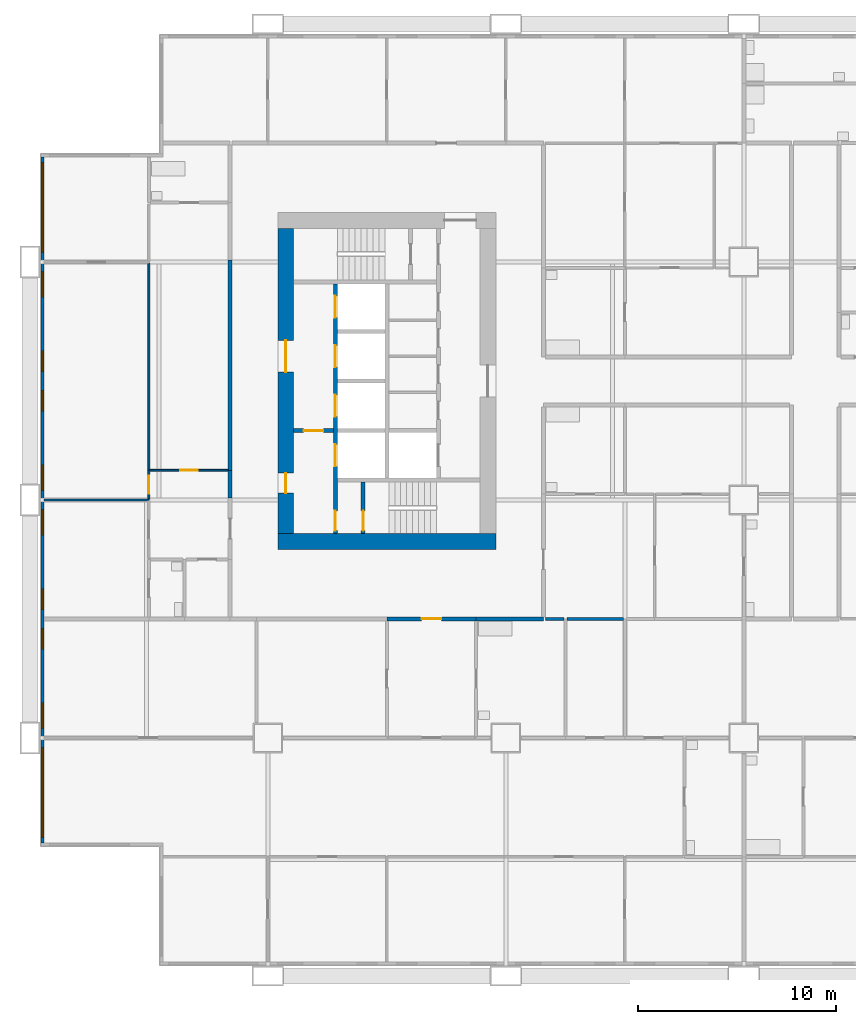
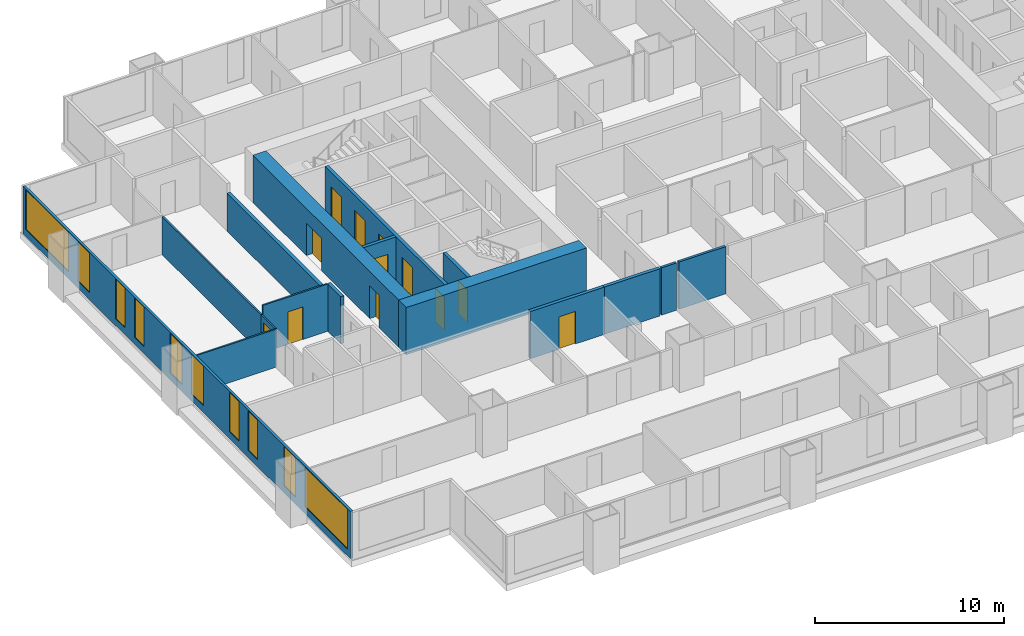
# One storey, part 3 of 14: 16 walls, 12 doors, 10 windows, 22 openings.
"""IFC4 building model written with IfcOpenShell, lengths in metres."""

import ifcopenshell
import ifcopenshell.guid

model = None  # the IFC model being written
_history = None  # IfcOwnerHistory: only IFC2X3 demands one
_inside = {}  # id of a spatial element -> (the spatial element, [elements in it])
_under = {}  # id of a project, library or spatial element -> (it, [spatial elements below it])
_declared = {}  # id of a project -> (the project, [libraries it declares])
_typed = {}  # id of a type object -> (the type object, [elements of that type])
_made_of = {}  # id of a material, layer set ... -> (it, [elements and type objects made of it])


def new_model(schema):
    """Start an empty IFC model of exactly this schema.

    Asked for "IFC4X3", IfcOpenShell would pick the latest addendum, in which some entities
    have other attributes; the version numbers below select the first issue.
    IFC2X3 requires an IfcOwnerHistory on every rooted entity: one is made here for all.
    """
    global model, _history
    if schema == "IFC4X3":
        model = ifcopenshell.file(schema_version=(4, 3, 0, 0))
    else:
        model = ifcopenshell.file(schema=schema)
    _inside.clear()
    _under.clear()
    _declared.clear()
    _typed.clear()
    _made_of.clear()
    _history = None
    if model.schema == "IFC2X3":
        org = make("IfcOrganization", Name="unknown")
        user = make(
            "IfcPersonAndOrganization",
            ThePerson=make("IfcPerson", FamilyName="unknown"),
            TheOrganization=org,
        )
        app = make(
            "IfcApplication",
            ApplicationDeveloper=org,
            Version="unknown",
            ApplicationFullName="unknown",
            ApplicationIdentifier="unknown",
        )
        _history = make(
            "IfcOwnerHistory",
            OwningUser=user,
            OwningApplication=app,
            ChangeAction="ADDED",
            CreationDate=0,
        )
    return model


def make(cls, **values):
    """One entity of the class cls with the attributes given. An attribute that is None is left unset."""
    return model.create_entity(
        cls, **{name: value for name, value in values.items() if value is not None}
    )


def rooted(cls, **values):
    """An entity with a GlobalId (a new one), such as an element, a storey or a relation."""
    return make(cls, GlobalId=ifcopenshell.guid.new(), OwnerHistory=_history, **values)


def si_unit(unit_type, name, prefix=None):
    """IfcSIUnit, for example si_unit("LENGTHUNIT", "METRE", prefix="MILLI")."""
    return make("IfcSIUnit", UnitType=unit_type, Prefix=prefix, Name=name)


def assignment(units):
    """IfcUnitAssignment: the units of a project."""
    return None if units is None else make("IfcUnitAssignment", Units=units)


def point(xyz):
    """IfcCartesianPoint."""
    return None if xyz is None else make("IfcCartesianPoint", Coordinates=xyz)


def direction(xyz):
    """IfcDirection."""
    return None if xyz is None else make("IfcDirection", DirectionRatios=xyz)


def frame(location, z_axis=None, x_axis=None):
    """IfcAxis2Placement3D, a coordinate frame: its origin and axes. An axis left out is left unset."""
    return make(
        "IfcAxis2Placement3D",
        Location=point(location),
        Axis=direction(z_axis),
        RefDirection=direction(x_axis),
    )


def frame_2d(location, x_axis=None):
    """IfcAxis2Placement2D, a coordinate frame in the plane: its origin and x axis."""
    return make(
        "IfcAxis2Placement2D", Location=point(location), RefDirection=direction(x_axis)
    )


def origin():
    """The frame at (0, 0, 0) with its axes left unset."""
    return frame((0.0, 0.0, 0.0))


def place(relative_to, where):
    """IfcLocalPlacement: puts the frame where relative to a parent placement (None: the world)."""
    return make(
        "IfcLocalPlacement", PlacementRelTo=relative_to, RelativePlacement=where
    )


def context(
    kind, dimensions, precision=None, world=None, true_north=None, identifier=None
):
    """IfcGeometricRepresentationContext, for example the 3D "Model" context."""
    return make(
        "IfcGeometricRepresentationContext",
        ContextIdentifier=identifier,
        ContextType=kind,
        CoordinateSpaceDimension=dimensions,
        Precision=precision,
        WorldCoordinateSystem=world,
        TrueNorth=true_north,
    )


def subcontext(parent, identifier, kind, view, scale=None):
    """IfcGeometricRepresentationSubContext, for example "Body" below "Model"."""
    return make(
        "IfcGeometricRepresentationSubContext",
        ContextIdentifier=identifier,
        ContextType=kind,
        ParentContext=parent,
        TargetScale=scale,
        TargetView=view,
    )


def project(units=None, contexts=None):
    """IfcProject with its units and contexts."""
    return rooted(
        "IfcProject",
        Name="project",
        RepresentationContexts=contexts,
        UnitsInContext=assignment(units),
    )


def spatial(cls, under=None, at=None, **own):
    """A site, building, storey or space (cls), placed at a placement, below another one or the project."""
    s = rooted(cls, ObjectPlacement=at, **own)
    if under is not None:
        _under.setdefault(under.id(), (under, []))[1].append(s)
    return s


def profile(cls, at=None, kind="AREA", **sizes):
    """A parametric profile (cls). Its sizes go by their IFC names, for example OverallWidth=200.0."""
    return make(cls, ProfileType=kind, Position=at, **sizes)


def rectangle(**sizes):
    """IfcRectangleProfileDef."""
    return profile("IfcRectangleProfileDef", **sizes)


def extrude(swept, where, along, depth):
    """IfcExtrudedAreaSolid: the profile swept, set in the frame where, extruded along a direction by depth."""
    return make(
        "IfcExtrudedAreaSolid",
        SweptArea=swept,
        Position=where,
        ExtrudedDirection=direction(along),
        Depth=depth,
    )


def shape(context_of_items, identifier, shape_type, items):
    """IfcShapeRepresentation: the items that make up one representation, for example the "Body"."""
    return make(
        "IfcShapeRepresentation",
        ContextOfItems=context_of_items,
        RepresentationIdentifier=identifier,
        RepresentationType=shape_type,
        Items=items,
    )


def material(Name=None, Category=None):
    """IfcMaterial."""
    return make("IfcMaterial", Name=Name, Category=Category)


def layer(
    of_material, thickness, ventilated=None, Name=None, Category=None, Priority=None
):
    """IfcMaterialLayer: one layer of a wall or slab, of a material (None: an air gap)."""
    return make(
        "IfcMaterialLayer",
        Material=of_material,
        LayerThickness=thickness,
        IsVentilated=ventilated,
        Name=Name,
        Category=Category,
        Priority=Priority,
    )


def layer_set(layers, Name=None):
    """IfcMaterialLayerSet."""
    return make("IfcMaterialLayerSet", MaterialLayers=layers, LayerSetName=Name)


def made_of(thing, what):
    """Note that an element or type object is made of a material, layer set ...; save() writes the relation."""
    if what is not None:
        _made_of.setdefault(what.id(), (what, []))[1].append(thing)
    return thing


def type_object(cls, material=None, **own):
    """A type object (cls), such as IfcWallType, which elements share."""
    return made_of(rooted(cls, **own), material)


def element(
    cls,
    number,
    at=None,
    inside=None,
    cuts=None,
    type_object=None,
    material=None,
    context=None,
    identifier="Body",
    shape_type=None,
    held_by="IfcProductDefinitionShape",
    body=None,
    shapes=None,
    **own,
):
    """One element of the class cls, such as IfcWall. Its Tag is "e" and its number.

    at: its placement. inside: the storey or other place that contains it. cuts: it is an
    opening in that element (IfcRelVoidsElement). A single representation is given by context,
    identifier, shape_type and body (its items); several are given by shapes. held_by: the class
    of the entity that holds the representations. save() writes the other relations.
    """
    e = rooted(cls, Tag="e%d" % number, ObjectPlacement=at, **own)
    if body is not None:
        shapes = [shape(context, identifier, shape_type, body)]
    if shapes is not None:
        e.Representation = make(held_by, Representations=shapes)
    if inside is not None:
        _inside.setdefault(inside.id(), (inside, []))[1].append(e)
    if cuts is not None:
        rooted(
            "IfcRelVoidsElement", RelatingBuildingElement=cuts, RelatedOpeningElement=e
        )
    if type_object is not None:
        _typed.setdefault(type_object.id(), (type_object, []))[1].append(e)
    return made_of(e, material)


def fill(opening, filler):
    """IfcRelFillsElement: the door or window that sits in an opening."""
    return rooted(
        "IfcRelFillsElement",
        RelatingOpeningElement=opening,
        RelatedBuildingElement=filler,
    )


def aggregate(whole, parts):
    """IfcRelAggregates: a whole, such as a stair, and the parts it consists of."""
    return rooted("IfcRelAggregates", RelatingObject=whole, RelatedObjects=parts)


def save(model, path):
    """Write the relations noted so far, then the file.

    IfcRelAggregates (storeys below a building ...), IfcRelContainedInSpatialStructure (elements
    in a storey), IfcRelDefinesByType, IfcRelAssociatesMaterial and IfcRelDeclares: one each for
    every whole, place, type object, material and project.
    """
    for whole, parts in _under.values():
        aggregate(whole, parts)
    for where, things in _inside.values():
        rooted(
            "IfcRelContainedInSpatialStructure",
            RelatedElements=things,
            RelatingStructure=where,
        )
    for kind, things in _typed.values():
        rooted("IfcRelDefinesByType", RelatedObjects=things, RelatingType=kind)
    for what, things in _made_of.values():
        rooted("IfcRelAssociatesMaterial", RelatedObjects=things, RelatingMaterial=what)
    for by, libraries in _declared.values():
        rooted("IfcRelDeclares", RelatingContext=by, RelatedDefinitions=libraries)
    model.write(path)


model = new_model("IFC4")

# Units and contexts
model_context = context("Model", 3, precision=1e-05, world=origin(), true_north=direction((0.0, 1.0)))
body_context = subcontext(model_context, "Body", "Model", "MODEL_VIEW")
ifc_project = project(units=[si_unit("LENGTHUNIT", "METRE"), si_unit("AREAUNIT", "SQUARE_METRE"), si_unit("VOLUMEUNIT", "CUBIC_METRE"), si_unit("PLANEANGLEUNIT", "RADIAN"), si_unit("MASSUNIT", "GRAM", prefix="KILO")], contexts=[model_context])

# Site, building, storey
site_placement = place(None, origin())
site = spatial("IfcSite", under=ifc_project, at=site_placement, CompositionType="ELEMENT")
building_placement = place(site_placement, origin())
building = spatial("IfcBuilding", under=site, at=building_placement, Name="Kitamizu Gate Tower and Museum", CompositionType="ELEMENT")
storey_placement = place(building_placement, frame((0.0, 0.0, 74.85009765625)))
storey = spatial("IfcBuildingStorey", under=building, at=storey_placement, Name="L18", CompositionType="ELEMENT", Elevation=74.85009765625)

# Wall
ifc_material_1 = material(Name="Concrete Fc60", Category="concrete")
ifc_layer_1 = layer(ifc_material_1, 0.800048828125)
ifc_layer_set_1 = layer_set([ifc_layer_1], Name="Concrete Fc60")
wall_type_1 = type_object("IfcWallType", Name="Core wall 800", PredefinedType="SHEAR", material=ifc_layer_set_1)
wall_1_placement = place(storey_placement, frame((12.5, 21.89990234375, 0.0), z_axis=(0.0, 0.0, 1.0), x_axis=(1.0, 0.0, 0.0)))
element("IfcWall", 1, at=wall_1_placement, inside=storey, type_object=wall_type_1, Name="Core wall WS", PredefinedType="SHEAR", context=body_context, shape_type="SweptSolid", body=[
    extrude(rectangle(XDim=11.0, YDim=0.800048828125, at=frame_2d((5.5, 0.0))), origin(), (0.0, 0.0, 1.0), 3.0498046875),
])

# Wall, openings, doors
wall_2_placement = place(storey_placement, frame((12.89990234375, 22.300048828125, 0.0), z_axis=(0.0, 0.0, 1.0), x_axis=(0.0, 1.0, 0.0)))
wall_2 = element("IfcWall", 2, at=wall_2_placement, inside=storey, type_object=wall_type_1, Name="Core wall WOUT", PredefinedType="SHEAR", context=body_context, shape_type="SweptSolid", body=[
    extrude(rectangle(XDim=15.39990234375, YDim=0.800048828125, at=frame_2d((7.699951171875, 0.0))), origin(), (0.0, 0.0, 1.0), 3.0498046875),
])
opening_1_placement = place(wall_2_placement, frame((8.14990234375, 0.0, 0.0)))
opening_1 = element("IfcOpeningElement", 3, at=opening_1_placement, cuts=wall_2, Name="Opening L18-076", PredefinedType="OPENING", context=body_context, shape_type="SweptSolid", body=[
    extrude(rectangle(XDim=1.60009765625, YDim=2.10009765625, at=frame_2d((0.800048828125, 1.050048828125))), frame((0.0, 0.41015625, 0.0), z_axis=(0.0, -1.0, 0.0), x_axis=(1.0, 0.0, 0.0)), (0.0, 0.0, 1.0), 0.820068359375),
])
opening_2_placement = place(wall_2_placement, frame((2.050048828125, 0.0, 0.0)))
opening_2 = element("IfcOpeningElement", 4, at=opening_2_placement, cuts=wall_2, Name="Opening L18-077", PredefinedType="OPENING", context=body_context, shape_type="SweptSolid", body=[
    extrude(rectangle(XDim=1.0, YDim=2.10009765625, at=frame_2d((0.5, 1.050048828125))), frame((0.0, 0.41015625, 0.0), z_axis=(0.0, -1.0, 0.0), x_axis=(1.0, 0.0, 0.0)), (0.0, 0.0, 1.0), 0.820068359375),
])
ifc_material_2 = material(Name="Timber door set", Category="wood")
door_type_1 = type_object("IfcDoorType", Name="Entrance door 1600", OperationType="DOUBLE_DOOR_SINGLE_SWING", PredefinedType="DOOR", material=ifc_material_2)
door_1_placement = place(opening_1_placement, origin())
door_1 = element("IfcDoor", 5, at=door_1_placement, inside=storey, type_object=door_type_1, Name="Lobby door L18-076", OperationType="DOUBLE_DOOR_SINGLE_SWING", OverallHeight=2.10009765625, OverallWidth=1.60009765625, PredefinedType="DOOR", context=body_context, shape_type="SweptSolid", body=[
    extrude(rectangle(XDim=1.60009765625, YDim=2.10009765625, at=frame_2d((0.800048828125, 1.050048828125))), frame((0.0, 0.02490234375, 0.0), z_axis=(0.0, -1.0, 0.0), x_axis=(1.0, 0.0, 0.0)), (0.0, 0.0, 1.0), 0.050048828125),
])
fill(opening_1, door_1)
ifc_material_3 = material(Name="Hollow metal door set")
door_type_2 = type_object("IfcDoorType", Name="Fire door 1000", OperationType="NOTDEFINED", PredefinedType="DOOR", material=ifc_material_3)
door_2_placement = place(opening_2_placement, frame((1.0, 0.0, 0.0), x_axis=(-1.0, 0.0, 0.0)))
door_2 = element("IfcDoor", 6, at=door_2_placement, inside=storey, type_object=door_type_2, Name="Fire-fighting lobby door L18-077", OperationType="SINGLE_SWING_RIGHT", OverallHeight=2.10009765625, OverallWidth=1.0, PredefinedType="DOOR", context=body_context, shape_type="SweptSolid", body=[
    extrude(rectangle(XDim=1.0, YDim=2.10009765625, at=frame_2d((0.5, 1.050048828125))), frame((0.0, 0.02490234375, 0.0), z_axis=(0.0, -1.0, 0.0), x_axis=(1.0, 0.0, 0.0)), (0.0, 0.0, 1.0), 0.050048828125),
])
fill(opening_2, door_2)

# Wall
ifc_material_4 = material(Name="Gypsum board on galvanised stud")
ifc_layer_2 = layer(ifc_material_4, 0.10009765625)
ifc_layer_set_2 = layer_set([ifc_layer_2], Name="Gypsum board on galvanised stud")
wall_type_2 = type_object("IfcWallType", Name="Partition 100 NOT RATED", PredefinedType="PARTITIONING", material=ifc_layer_set_2)
wall_3_placement = place(storey_placement, frame((6.0, 24.0, 0.0), z_axis=(0.0, 0.0, 1.0), x_axis=(-1.0, 0.0, 0.0)))
element("IfcWall", 7, at=wall_3_placement, inside=storey, type_object=wall_type_2, Name="Partition L18-054", PredefinedType="PARTITIONING", context=body_context, shape_type="SweptSolid", body=[
    extrude(rectangle(XDim=5.280029296875, YDim=0.10009765625, at=frame_2d((2.64013671875, 0.0))), origin(), (0.0, 0.0, 1.0), 2.449951171875),
])

# Wall, opening, door
wall_4_placement = place(storey_placement, frame((6.0, 24.050048828125, 0.0), z_axis=(0.0, 0.0, 1.0), x_axis=(0.0, 1.0, 0.0)))
wall_4 = element("IfcWall", 8, at=wall_4_placement, inside=storey, type_object=wall_type_2, Name="Partition L18-058", PredefinedType="PARTITIONING", context=body_context, shape_type="SweptSolid", body=[
    extrude(rectangle(XDim=1.449951171875, YDim=0.10009765625, at=frame_2d((0.72509765625, 0.0))), origin(), (0.0, 0.0, 1.0), 2.449951171875),
])
opening_3_placement = place(wall_4_placement, frame((0.27490234375, 0.0, 0.0)))
opening_3 = element("IfcOpeningElement", 9, at=opening_3_placement, cuts=wall_4, Name="Opening L18-020", PredefinedType="OPENING", context=body_context, shape_type="SweptSolid", body=[
    extrude(rectangle(XDim=0.89990234375, YDim=2.10009765625, at=frame_2d((0.449951171875, 1.050048828125))), frame((0.0, 0.06005859375, 0.0), z_axis=(0.0, -1.0, 0.0), x_axis=(1.0, 0.0, 0.0)), (0.0, 0.0, 1.0), 0.1201171875),
])
ifc_material_5 = material(Name="Timber door set", Category="wood")
door_type_3 = type_object("IfcDoorType", Name="Room door 900", OperationType="NOTDEFINED", PredefinedType="DOOR", material=ifc_material_5)
door_3_placement = place(opening_3_placement, origin())
door_3 = element("IfcDoor", 10, at=door_3_placement, inside=storey, type_object=door_type_3, Name="Door L18-020", OperationType="SINGLE_SWING_RIGHT", OverallHeight=2.10009765625, OverallWidth=0.89990234375, PredefinedType="DOOR", context=body_context, shape_type="SweptSolid", body=[
    extrude(rectangle(XDim=0.89990234375, YDim=2.10009765625, at=frame_2d((0.449951171875, 1.050048828125))), frame((0.0, 0.02490234375, 0.0), z_axis=(0.0, -1.0, 0.0), x_axis=(1.0, 0.0, 0.0)), (0.0, 0.0, 1.0), 0.050048828125),
])
fill(opening_3, door_3)

# Wall
wall_5_placement = place(storey_placement, frame((6.0, 25.5, 0.0), z_axis=(0.0, 0.0, 1.0), x_axis=(0.0, 1.0, 0.0)))
element("IfcWall", 11, at=wall_5_placement, inside=storey, type_object=wall_type_2, Name="Partition L18-059", PredefinedType="PARTITIONING", context=body_context, shape_type="SweptSolid", body=[
    extrude(rectangle(XDim=10.449951171875, YDim=0.10009765625, at=frame_2d((5.22509765625, 0.0))), origin(), (0.0, 0.0, 1.0), 2.449951171875),
])

# Wall, opening, door
wall_6_placement = place(storey_placement, frame((10.0, 25.5, 0.0), z_axis=(0.0, 0.0, 1.0), x_axis=(-1.0, 0.0, 0.0)))
wall_6 = element("IfcWall", 12, at=wall_6_placement, inside=storey, type_object=wall_type_2, Name="Partition L18-066", PredefinedType="PARTITIONING", context=body_context, shape_type="SweptSolid", body=[
    extrude(rectangle(XDim=3.949951171875, YDim=0.10009765625, at=frame_2d((1.97509765625, 0.0))), origin(), (0.0, 0.0, 1.0), 3.0498046875),
])
opening_4_placement = place(wall_6_placement, frame((1.52490234375, 0.0, 0.0)))
opening_4 = element("IfcOpeningElement", 13, at=opening_4_placement, cuts=wall_6, Name="Opening L18-021", PredefinedType="OPENING", context=body_context, shape_type="SweptSolid", body=[
    extrude(rectangle(XDim=0.89990234375, YDim=2.10009765625, at=frame_2d((0.449951171875, 1.050048828125))), frame((0.0, 0.06005859375, 0.0), z_axis=(0.0, -1.0, 0.0), x_axis=(1.0, 0.0, 0.0)), (0.0, 0.0, 1.0), 0.1201171875),
])
door_4_placement = place(opening_4_placement, origin())
door_4 = element("IfcDoor", 14, at=door_4_placement, inside=storey, type_object=door_type_3, Name="Door L18-021", OperationType="SINGLE_SWING_RIGHT", OverallHeight=2.10009765625, OverallWidth=0.89990234375, PredefinedType="DOOR", context=body_context, shape_type="SweptSolid", body=[
    extrude(rectangle(XDim=0.89990234375, YDim=2.10009765625, at=frame_2d((0.449951171875, 1.050048828125))), frame((0.0, 0.02490234375, 0.0), z_axis=(0.0, -1.0, 0.0), x_axis=(1.0, 0.0, 0.0)), (0.0, 0.0, 1.0), 0.050048828125),
])
fill(opening_4, door_4)

# Walls
ifc_material_6 = material(Name="Gypsum board on galvanised stud")
ifc_layer_3 = layer(ifc_material_6, 0.14990234375)
ifc_layer_set_3 = layer_set([ifc_layer_3], Name="Gypsum board on galvanised stud")
wall_type_3 = type_object("IfcWallType", Name="Partition 150", PredefinedType="PARTITIONING", material=ifc_layer_set_3)
wall_7_placement = place(storey_placement, frame((26.925048828125, 18.0, 0.0), z_axis=(0.0, 0.0, 1.0), x_axis=(-1.0, 0.0, 0.0)))
element("IfcWall", 15, at=wall_7_placement, inside=storey, type_object=wall_type_3, Name="Partition L18-031", PredefinedType="PARTITIONING", context=body_context, shape_type="SweptSolid", body=[
    extrude(rectangle(XDim=0.925048828125, YDim=0.14990234375, at=frame_2d((0.46240234375, 0.0))), origin(), (0.0, 0.0, 1.0), 3.0498046875),
])
wall_8_placement = place(storey_placement, frame((29.925048828125, 18.0, 0.0), z_axis=(0.0, 0.0, 1.0), x_axis=(-1.0, 0.0, 0.0)))
element("IfcWall", 16, at=wall_8_placement, inside=storey, type_object=wall_type_3, Name="Partition L18-034", PredefinedType="PARTITIONING", context=body_context, shape_type="SweptSolid", body=[
    extrude(rectangle(XDim=2.85009765625, YDim=0.14990234375, at=frame_2d((1.425048828125, 0.0))), origin(), (0.0, 0.0, 1.0), 3.0498046875),
])

# Wall, opening, door
ifc_material_7 = material(Name="Gypsum board on galvanised stud")
ifc_layer_4 = layer(ifc_material_7, 0.199951171875)
ifc_layer_set_4 = layer_set([ifc_layer_4], Name="Gypsum board on galvanised stud")
wall_type_4 = type_object("IfcWallType", Name="Partition 200", PredefinedType="PARTITIONING", material=ifc_layer_set_4)
wall_9_placement = place(storey_placement, frame((22.5, 18.0, 0.0), z_axis=(0.0, 0.0, 1.0), x_axis=(-1.0, 0.0, 0.0)))
wall_9 = element("IfcWall", 17, at=wall_9_placement, inside=storey, type_object=wall_type_4, Name="Partition L18-029", PredefinedType="PARTITIONING", context=body_context, shape_type="SweptSolid", body=[
    extrude(rectangle(XDim=4.5, YDim=0.199951171875, at=frame_2d((2.25, 0.0))), origin(), (0.0, 0.0, 1.0), 3.0498046875),
])
opening_5_placement = place(wall_9_placement, frame((1.75, 0.0, 0.0)))
opening_5 = element("IfcOpeningElement", 18, at=opening_5_placement, cuts=wall_9, Name="Opening L18-001", PredefinedType="OPENING", context=body_context, shape_type="SweptSolid", body=[
    extrude(rectangle(XDim=1.0, YDim=2.10009765625, at=frame_2d((0.5, 1.050048828125))), frame((0.0, 0.10986328125, 0.0), z_axis=(0.0, -1.0, 0.0), x_axis=(1.0, 0.0, 0.0)), (0.0, 0.0, 1.0), 0.219970703125),
])
ifc_material_8 = material(Name="Timber door set", Category="wood")
door_type_4 = type_object("IfcDoorType", Name="Flat entrance door 1000", OperationType="NOTDEFINED", PredefinedType="DOOR", material=ifc_material_8)
door_5_placement = place(opening_5_placement, origin())
door_5 = element("IfcDoor", 19, at=door_5_placement, inside=storey, type_object=door_type_4, Name="Flat entrance door L18-001", OperationType="SINGLE_SWING_RIGHT", OverallHeight=2.10009765625, OverallWidth=1.0, PredefinedType="DOOR", context=body_context, shape_type="SweptSolid", body=[
    extrude(rectangle(XDim=1.0, YDim=2.10009765625, at=frame_2d((0.5, 1.050048828125))), frame((0.0, 0.02490234375, 0.0), z_axis=(0.0, -1.0, 0.0), x_axis=(1.0, 0.0, 0.0)), (0.0, 0.0, 1.0), 0.050048828125),
])
fill(opening_5, door_5)

# Walls
wall_10_placement = place(storey_placement, frame((25.89990234375, 18.0, 0.0), z_axis=(0.0, 0.0, 1.0), x_axis=(-1.0, 0.0, 0.0)))
element("IfcWall", 20, at=wall_10_placement, inside=storey, type_object=wall_type_4, Name="Partition L18-032", PredefinedType="PARTITIONING", context=body_context, shape_type="SweptSolid", body=[
    extrude(rectangle(XDim=3.39990234375, YDim=0.199951171875, at=frame_2d((1.699951171875, 0.0))), origin(), (0.0, 0.0, 1.0), 3.0498046875),
])
wall_11_placement = place(storey_placement, frame((10.10009765625, 24.10009765625, 0.0), z_axis=(0.0, 0.0, 1.0), x_axis=(0.0, 1.0, 0.0)))
element("IfcWall", 21, at=wall_11_placement, inside=storey, type_object=wall_type_4, Name="Partition L18-068", PredefinedType="PARTITIONING", context=body_context, shape_type="SweptSolid", body=[
    extrude(rectangle(XDim=1.39990234375, YDim=0.199951171875, at=frame_2d((0.699951171875, 0.0))), origin(), (0.0, 0.0, 1.0), 3.0498046875),
])
wall_12_placement = place(storey_placement, frame((10.10009765625, 25.5, 0.0), z_axis=(0.0, 0.0, 1.0), x_axis=(0.0, 1.0, 0.0)))
element("IfcWall", 22, at=wall_12_placement, inside=storey, type_object=wall_type_4, Name="Partition L18-070", PredefinedType="PARTITIONING", context=body_context, shape_type="SweptSolid", body=[
    extrude(rectangle(XDim=10.60009765625, YDim=0.199951171875, at=frame_2d((5.300048828125, 0.0))), origin(), (0.0, 0.0, 1.0), 2.449951171875),
])

# Wall, openings, doors
ifc_material_9 = material(Name="Concrete Fc42", Category="concrete")
ifc_layer_5 = layer(ifc_material_9, 0.199951171875)
ifc_layer_set_5 = layer_set([ifc_layer_5], Name="Concrete Fc42")
wall_type_5 = type_object("IfcWallType", Name="Shaft wall 200", PredefinedType="SOLIDWALL", material=ifc_layer_set_5)
wall_13_placement = place(storey_placement, frame((15.39990234375, 22.300048828125, 0.0), z_axis=(0.0, 0.0, 1.0), x_axis=(0.0, 1.0, 0.0)))
wall_13 = element("IfcWall", 23, at=wall_13_placement, inside=storey, type_object=wall_type_5, Name="Shaft wall WWEST", PredefinedType="SOLIDWALL", context=body_context, shape_type="SweptSolid", body=[
    extrude(rectangle(XDim=12.599853515625, YDim=0.199951171875, at=frame_2d((6.2998046875, 0.0))), origin(), (0.0, 0.0, 1.0), 3.0498046875),
])
opening_6_placement = place(wall_13_placement, frame((3.39990234375, 0.0, 0.0)))
opening_6 = element("IfcOpeningElement", 24, at=opening_6_placement, cuts=wall_13, Name="Opening LD", PredefinedType="OPENING", context=body_context, shape_type="SweptSolid", body=[
    extrude(rectangle(XDim=1.10009765625, YDim=2.10009765625, at=frame_2d((0.550048828125, 1.050048828125))), frame((0.0, 0.10986328125, 0.0), z_axis=(0.0, -1.0, 0.0), x_axis=(1.0, 0.0, 0.0)), (0.0, 0.0, 1.0), 0.219970703125),
])
opening_7_placement = place(wall_13_placement, frame((5.89990234375, 0.0, 0.0)))
opening_7 = element("IfcOpeningElement", 25, at=opening_7_placement, cuts=wall_13, Name="Opening LD", PredefinedType="OPENING", context=body_context, shape_type="SweptSolid", body=[
    extrude(rectangle(XDim=1.10009765625, YDim=2.10009765625, at=frame_2d((0.550048828125, 1.050048828125))), frame((0.0, 0.10986328125, 0.0), z_axis=(0.0, -1.0, 0.0), x_axis=(1.0, 0.0, 0.0)), (0.0, 0.0, 1.0), 0.219970703125),
])
opening_8_placement = place(wall_13_placement, frame((8.39990234375, 0.0, 0.0)))
opening_8 = element("IfcOpeningElement", 26, at=opening_8_placement, cuts=wall_13, Name="Opening LD", PredefinedType="OPENING", context=body_context, shape_type="SweptSolid", body=[
    extrude(rectangle(XDim=1.10009765625, YDim=2.10009765625, at=frame_2d((0.550048828125, 1.050048828125))), frame((0.0, 0.10986328125, 0.0), z_axis=(0.0, -1.0, 0.0), x_axis=(1.0, 0.0, 0.0)), (0.0, 0.0, 1.0), 0.219970703125),
])
opening_9_placement = place(wall_13_placement, frame((10.89990234375, 0.0, 0.0)))
opening_9 = element("IfcOpeningElement", 27, at=opening_9_placement, cuts=wall_13, Name="Opening LD", PredefinedType="OPENING", context=body_context, shape_type="SweptSolid", body=[
    extrude(rectangle(XDim=1.10009765625, YDim=2.10009765625, at=frame_2d((0.550048828125, 1.050048828125))), frame((0.0, 0.10986328125, 0.0), z_axis=(0.0, -1.0, 0.0), x_axis=(1.0, 0.0, 0.0)), (0.0, 0.0, 1.0), 0.219970703125),
])
opening_10_placement = place(wall_13_placement, frame((0.14990234375, 0.0, 0.0)))
opening_10 = element("IfcOpeningElement", 28, at=opening_10_placement, cuts=wall_13, Name="Opening L18-072", PredefinedType="OPENING", context=body_context, shape_type="SweptSolid", body=[
    extrude(rectangle(XDim=1.0, YDim=2.10009765625, at=frame_2d((0.5, 1.050048828125))), frame((0.0, 0.10986328125, 0.0), z_axis=(0.0, -1.0, 0.0), x_axis=(1.0, 0.0, 0.0)), (0.0, 0.0, 1.0), 0.219970703125),
])
door_6_placement = place(opening_10_placement, frame((1.0, 0.0, 0.0), x_axis=(-1.0, 0.0, 0.0)))
door_6 = element("IfcDoor", 29, at=door_6_placement, inside=storey, type_object=door_type_2, Name="Stair lobby door L18-072", OperationType="SINGLE_SWING_LEFT", OverallHeight=2.10009765625, OverallWidth=1.0, PredefinedType="DOOR", context=body_context, shape_type="SweptSolid", body=[
    extrude(rectangle(XDim=1.0, YDim=2.10009765625, at=frame_2d((0.5, 1.050048828125))), frame((0.0, 0.02490234375, 0.0), z_axis=(0.0, -1.0, 0.0), x_axis=(1.0, 0.0, 0.0)), (0.0, 0.0, 1.0), 0.050048828125),
])
fill(opening_10, door_6)
ifc_material_10 = material(Name="Hollow metal door set")
door_type_5 = type_object("IfcDoorType", Name="Landing door 1100", OperationType="SLIDING_TO_LEFT", PredefinedType="DOOR", material=ifc_material_10)
door_7_placement = place(opening_6_placement, origin())
door_7 = element("IfcDoor", 30, at=door_7_placement, inside=storey, type_object=door_type_5, Name="Landing door WFF1", OperationType="SLIDING_TO_LEFT", OverallHeight=2.10009765625, OverallWidth=1.10009765625, PredefinedType="DOOR", context=body_context, shape_type="SweptSolid", body=[
    extrude(rectangle(XDim=1.10009765625, YDim=2.10009765625, at=frame_2d((0.550048828125, 1.050048828125))), frame((0.0, 0.02490234375, 0.0), z_axis=(0.0, -1.0, 0.0), x_axis=(1.0, 0.0, 0.0)), (0.0, 0.0, 1.0), 0.050048828125),
])
fill(opening_6, door_7)
door_8_placement = place(opening_7_placement, origin())
door_8 = element("IfcDoor", 31, at=door_8_placement, inside=storey, type_object=door_type_5, Name="Landing door WL1", OperationType="SLIDING_TO_LEFT", OverallHeight=2.10009765625, OverallWidth=1.10009765625, PredefinedType="DOOR", context=body_context, shape_type="SweptSolid", body=[
    extrude(rectangle(XDim=1.10009765625, YDim=2.10009765625, at=frame_2d((0.550048828125, 1.050048828125))), frame((0.0, 0.02490234375, 0.0), z_axis=(0.0, -1.0, 0.0), x_axis=(1.0, 0.0, 0.0)), (0.0, 0.0, 1.0), 0.050048828125),
])
fill(opening_7, door_8)
door_9_placement = place(opening_8_placement, origin())
door_9 = element("IfcDoor", 32, at=door_9_placement, inside=storey, type_object=door_type_5, Name="Landing door WL2", OperationType="SLIDING_TO_LEFT", OverallHeight=2.10009765625, OverallWidth=1.10009765625, PredefinedType="DOOR", context=body_context, shape_type="SweptSolid", body=[
    extrude(rectangle(XDim=1.10009765625, YDim=2.10009765625, at=frame_2d((0.550048828125, 1.050048828125))), frame((0.0, 0.02490234375, 0.0), z_axis=(0.0, -1.0, 0.0), x_axis=(1.0, 0.0, 0.0)), (0.0, 0.0, 1.0), 0.050048828125),
])
fill(opening_8, door_9)
door_10_placement = place(opening_9_placement, origin())
door_10 = element("IfcDoor", 33, at=door_10_placement, inside=storey, type_object=door_type_5, Name="Landing door WL3", OperationType="SLIDING_TO_LEFT", OverallHeight=2.10009765625, OverallWidth=1.10009765625, PredefinedType="DOOR", context=body_context, shape_type="SweptSolid", body=[
    extrude(rectangle(XDim=1.10009765625, YDim=2.10009765625, at=frame_2d((0.550048828125, 1.050048828125))), frame((0.0, 0.02490234375, 0.0), z_axis=(0.0, -1.0, 0.0), x_axis=(1.0, 0.0, 0.0)), (0.0, 0.0, 1.0), 0.050048828125),
])
fill(opening_9, door_10)

# Wall, opening, door
wall_14_placement = place(storey_placement, frame((13.300048828125, 27.5, 0.0), z_axis=(0.0, 0.0, 1.0), x_axis=(1.0, 0.0, 0.0)))
wall_14 = element("IfcWall", 34, at=wall_14_placement, inside=storey, type_object=wall_type_5, Name="Shaft wall WFFN", PredefinedType="SOLIDWALL", context=body_context, shape_type="SweptSolid", body=[
    extrude(rectangle(XDim=2.0, YDim=0.199951171875, at=frame_2d((1.0, 0.0))), origin(), (0.0, 0.0, 1.0), 3.0498046875),
])
opening_11_placement = place(wall_14_placement, frame((0.5, 0.0, 0.0)))
opening_11 = element("IfcOpeningElement", 35, at=opening_11_placement, cuts=wall_14, Name="Opening L18-075", PredefinedType="OPENING", context=body_context, shape_type="SweptSolid", body=[
    extrude(rectangle(XDim=1.0, YDim=2.10009765625, at=frame_2d((0.5, 1.050048828125))), frame((0.0, 0.10986328125, 0.0), z_axis=(0.0, -1.0, 0.0), x_axis=(1.0, 0.0, 0.0)), (0.0, 0.0, 1.0), 0.219970703125),
])
door_11_placement = place(opening_11_placement, frame((1.0, 0.0, 0.0), x_axis=(-1.0, 0.0, 0.0)))
door_11 = element("IfcDoor", 36, at=door_11_placement, inside=storey, type_object=door_type_2, Name="Fire-fighting lobby door L18-075", OperationType="SINGLE_SWING_LEFT", OverallHeight=2.10009765625, OverallWidth=1.0, PredefinedType="DOOR", context=body_context, shape_type="SweptSolid", body=[
    extrude(rectangle(XDim=1.0, YDim=2.10009765625, at=frame_2d((0.5, 1.050048828125))), frame((0.0, 0.02490234375, 0.0), z_axis=(0.0, -1.0, 0.0), x_axis=(1.0, 0.0, 0.0)), (0.0, 0.0, 1.0), 0.050048828125),
])
fill(opening_11, door_11)

wall_15_placement = place(storey_placement, frame((16.800048828125, 22.300048828125, 0.0), z_axis=(0.0, 0.0, 1.0), x_axis=(0.0, 1.0, 0.0)))
wall_15 = element("IfcWall", 37, at=wall_15_placement, inside=storey, type_object=wall_type_5, Name="Shaft wall WSZ", PredefinedType="SOLIDWALL", context=body_context, shape_type="SweptSolid", body=[
    extrude(rectangle(XDim=2.599853515625, YDim=0.199951171875, at=frame_2d((1.2998046875, 0.0))), origin(), (0.0, 0.0, 1.0), 3.0498046875),
])
opening_12_placement = place(wall_15_placement, frame((0.14990234375, 0.0, 0.0)))
opening_12 = element("IfcOpeningElement", 38, at=opening_12_placement, cuts=wall_15, Name="Opening L18-071", PredefinedType="OPENING", context=body_context, shape_type="SweptSolid", body=[
    extrude(rectangle(XDim=1.0, YDim=2.10009765625, at=frame_2d((0.5, 1.050048828125))), frame((0.0, 0.10986328125, 0.0), z_axis=(0.0, -1.0, 0.0), x_axis=(1.0, 0.0, 0.0)), (0.0, 0.0, 1.0), 0.219970703125),
])
door_12_placement = place(opening_12_placement, frame((1.0, 0.0, 0.0), x_axis=(-1.0, 0.0, 0.0)))
door_12 = element("IfcDoor", 39, at=door_12_placement, inside=storey, type_object=door_type_2, Name="Stair door L18-071", OperationType="SINGLE_SWING_LEFT", OverallHeight=2.10009765625, OverallWidth=1.0, PredefinedType="DOOR", context=body_context, shape_type="SweptSolid", body=[
    extrude(rectangle(XDim=1.0, YDim=2.10009765625, at=frame_2d((0.5, 1.050048828125))), frame((0.0, 0.02490234375, 0.0), z_axis=(0.0, -1.0, 0.0), x_axis=(1.0, 0.0, 0.0)), (0.0, 0.0, 1.0), 0.050048828125),
])
fill(opening_12, door_12)

# Wall, openings, windows
ifc_material_11 = material(Name="Bronze anodised aluminium frame with insulated spandrel and tinted glass", Category="aluminium")
ifc_layer_6 = layer(ifc_material_11, 0.14990234375)
ifc_layer_set_6 = layer_set([ifc_layer_6], Name="Bronze anodised aluminium frame with insulated spandrel and tinted glass")
wall_type_6 = type_object("IfcWallType", Name="WINDOW WALL 150 BRONZE FRAME EI 30", PredefinedType="ELEMENTEDWALL", material=ifc_layer_set_6)
wall_16_placement = place(storey_placement, frame((0.635009765625, 6.7099609375, 0.0), z_axis=(0.0, 0.0, 1.0), x_axis=(0.0, 1.0, 0.0)))
wall_16 = element("IfcWall", 40, at=wall_16_placement, inside=storey, type_object=wall_type_6, Name="Window wall west L18", PredefinedType="ELEMENTEDWALL", context=body_context, shape_type="SweptSolid", body=[
    extrude(rectangle(XDim=34.580078125, YDim=0.14990234375, at=frame_2d((17.2900390625, 0.0))), origin(), (0.0, 0.0, 1.0), 3.0498046875),
])
opening_13_placement = place(wall_16_placement, frame((0.2900390625, 0.0, 0.449951171875)))
opening_13 = element("IfcOpeningElement", 41, at=opening_13_placement, cuts=wall_16, Name="Opening W15", PredefinedType="OPENING", context=body_context, shape_type="SweptSolid", body=[
    extrude(rectangle(XDim=4.5, YDim=2.550048828125, at=frame_2d((2.25, 1.27490234375))), frame((0.0, 0.0849609375, 0.0), z_axis=(0.0, -1.0, 0.0), x_axis=(1.0, 0.0, 0.0)), (0.0, 0.0, 1.0), 0.169921875),
])
opening_14_placement = place(wall_16_placement, frame((5.7900390625, 0.0, 0.449951171875)))
opening_14 = element("IfcOpeningElement", 42, at=opening_14_placement, cuts=wall_16, Name="Opening W27", PredefinedType="OPENING", context=body_context, shape_type="SweptSolid", body=[
    extrude(rectangle(XDim=1.25, YDim=2.550048828125, at=frame_2d((0.625, 1.27490234375))), frame((0.0, 0.0849609375, 0.0), z_axis=(0.0, -1.0, 0.0), x_axis=(1.0, 0.0, 0.0)), (0.0, 0.0, 1.0), 0.169921875),
])
opening_15_placement = place(wall_16_placement, frame((9.7900390625, 0.0, 0.449951171875)))
opening_15 = element("IfcOpeningElement", 43, at=opening_15_placement, cuts=wall_16, Name="Opening W26", PredefinedType="OPENING", context=body_context, shape_type="SweptSolid", body=[
    extrude(rectangle(XDim=1.0, YDim=2.550048828125, at=frame_2d((0.5, 1.27490234375))), frame((0.0, 0.0849609375, 0.0), z_axis=(0.0, -1.0, 0.0), x_axis=(1.0, 0.0, 0.0)), (0.0, 0.0, 1.0), 0.169921875),
])
opening_16_placement = place(wall_16_placement, frame((11.7900390625, 0.0, 0.449951171875)))
opening_16 = element("IfcOpeningElement", 44, at=opening_16_placement, cuts=wall_16, Name="Opening W26", PredefinedType="OPENING", context=body_context, shape_type="SweptSolid", body=[
    extrude(rectangle(XDim=1.0, YDim=2.550048828125, at=frame_2d((0.5, 1.27490234375))), frame((0.0, 0.0849609375, 0.0), z_axis=(0.0, -1.0, 0.0), x_axis=(1.0, 0.0, 0.0)), (0.0, 0.0, 1.0), 0.169921875),
])
opening_17_placement = place(wall_16_placement, frame((15.5400390625, 0.0, 0.449951171875)))
opening_17 = element("IfcOpeningElement", 45, at=opening_17_placement, cuts=wall_16, Name="Opening W27", PredefinedType="OPENING", context=body_context, shape_type="SweptSolid", body=[
    extrude(rectangle(XDim=1.25, YDim=2.550048828125, at=frame_2d((0.625, 1.27490234375))), frame((0.0, 0.0849609375, 0.0), z_axis=(0.0, -1.0, 0.0), x_axis=(1.0, 0.0, 0.0)), (0.0, 0.0, 1.0), 0.169921875),
])
opening_18_placement = place(wall_16_placement, frame((17.7900390625, 0.0, 0.449951171875)))
opening_18 = element("IfcOpeningElement", 46, at=opening_18_placement, cuts=wall_16, Name="Opening W27", PredefinedType="OPENING", context=body_context, shape_type="SweptSolid", body=[
    extrude(rectangle(XDim=1.25, YDim=2.550048828125, at=frame_2d((0.625, 1.27490234375))), frame((0.0, 0.0849609375, 0.0), z_axis=(0.0, -1.0, 0.0), x_axis=(1.0, 0.0, 0.0)), (0.0, 0.0, 1.0), 0.169921875),
])
opening_19_placement = place(wall_16_placement, frame((21.7900390625, 0.0, 0.449951171875)))
opening_19 = element("IfcOpeningElement", 47, at=opening_19_placement, cuts=wall_16, Name="Opening W26", PredefinedType="OPENING", context=body_context, shape_type="SweptSolid", body=[
    extrude(rectangle(XDim=1.0, YDim=2.550048828125, at=frame_2d((0.5, 1.27490234375))), frame((0.0, 0.0849609375, 0.0), z_axis=(0.0, -1.0, 0.0), x_axis=(1.0, 0.0, 0.0)), (0.0, 0.0, 1.0), 0.169921875),
])
opening_20_placement = place(wall_16_placement, frame((23.7900390625, 0.0, 0.449951171875)))
opening_20 = element("IfcOpeningElement", 48, at=opening_20_placement, cuts=wall_16, Name="Opening W26", PredefinedType="OPENING", context=body_context, shape_type="SweptSolid", body=[
    extrude(rectangle(XDim=1.0, YDim=2.550048828125, at=frame_2d((0.5, 1.27490234375))), frame((0.0, 0.0849609375, 0.0), z_axis=(0.0, -1.0, 0.0), x_axis=(1.0, 0.0, 0.0)), (0.0, 0.0, 1.0), 0.169921875),
])
opening_21_placement = place(wall_16_placement, frame((27.5400390625, 0.0, 0.449951171875)))
opening_21 = element("IfcOpeningElement", 49, at=opening_21_placement, cuts=wall_16, Name="Opening W27", PredefinedType="OPENING", context=body_context, shape_type="SweptSolid", body=[
    extrude(rectangle(XDim=1.25, YDim=2.550048828125, at=frame_2d((0.625, 1.27490234375))), frame((0.0, 0.0849609375, 0.0), z_axis=(0.0, -1.0, 0.0), x_axis=(1.0, 0.0, 0.0)), (0.0, 0.0, 1.0), 0.169921875),
])
opening_22_placement = place(wall_16_placement, frame((29.7900390625, 0.0, 0.449951171875)))
opening_22 = element("IfcOpeningElement", 50, at=opening_22_placement, cuts=wall_16, Name="Opening W15", PredefinedType="OPENING", context=body_context, shape_type="SweptSolid", body=[
    extrude(rectangle(XDim=4.5, YDim=2.550048828125, at=frame_2d((2.25, 1.27490234375))), frame((0.0, 0.0849609375, 0.0), z_axis=(0.0, -1.0, 0.0), x_axis=(1.0, 0.0, 0.0)), (0.0, 0.0, 1.0), 0.169921875),
])
ifc_material_12 = material(Name="Bronze anodised aluminium frame, tinted triple glazing", Category="aluminium")
window_type_1 = type_object("IfcWindowType", Name="WINDOW 1000 x 2550 SILL 450", PartitioningType="SINGLE_PANEL", PredefinedType="WINDOW", material=ifc_material_12)
window_1_placement = place(opening_15_placement, origin())
window_1 = element("IfcWindow", 51, at=window_1_placement, inside=storey, type_object=window_type_1, Name="Window W26 L18", OverallHeight=2.550048828125, OverallWidth=1.0, PartitioningType="SINGLE_PANEL", PredefinedType="WINDOW", context=body_context, shape_type="SweptSolid", body=[
    extrude(rectangle(XDim=1.0, YDim=2.550048828125, at=frame_2d((0.5, 1.27490234375))), frame((0.0, 0.030029296875, 0.0), z_axis=(0.0, -1.0, 0.0), x_axis=(1.0, 0.0, 0.0)), (0.0, 0.0, 1.0), 0.06005859375),
])
fill(opening_15, window_1)
window_2_placement = place(opening_16_placement, origin())
window_2 = element("IfcWindow", 52, at=window_2_placement, inside=storey, type_object=window_type_1, Name="Window W26 L18", OverallHeight=2.550048828125, OverallWidth=1.0, PartitioningType="SINGLE_PANEL", PredefinedType="WINDOW", context=body_context, shape_type="SweptSolid", body=[
    extrude(rectangle(XDim=1.0, YDim=2.550048828125, at=frame_2d((0.5, 1.27490234375))), frame((0.0, 0.030029296875, 0.0), z_axis=(0.0, -1.0, 0.0), x_axis=(1.0, 0.0, 0.0)), (0.0, 0.0, 1.0), 0.06005859375),
])
fill(opening_16, window_2)
window_3_placement = place(opening_19_placement, origin())
window_3 = element("IfcWindow", 53, at=window_3_placement, inside=storey, type_object=window_type_1, Name="Window W26 L18", OverallHeight=2.550048828125, OverallWidth=1.0, PartitioningType="SINGLE_PANEL", PredefinedType="WINDOW", context=body_context, shape_type="SweptSolid", body=[
    extrude(rectangle(XDim=1.0, YDim=2.550048828125, at=frame_2d((0.5, 1.27490234375))), frame((0.0, 0.030029296875, 0.0), z_axis=(0.0, -1.0, 0.0), x_axis=(1.0, 0.0, 0.0)), (0.0, 0.0, 1.0), 0.06005859375),
])
fill(opening_19, window_3)
window_4_placement = place(opening_20_placement, origin())
window_4 = element("IfcWindow", 54, at=window_4_placement, inside=storey, type_object=window_type_1, Name="Window W26 L18", OverallHeight=2.550048828125, OverallWidth=1.0, PartitioningType="SINGLE_PANEL", PredefinedType="WINDOW", context=body_context, shape_type="SweptSolid", body=[
    extrude(rectangle(XDim=1.0, YDim=2.550048828125, at=frame_2d((0.5, 1.27490234375))), frame((0.0, 0.030029296875, 0.0), z_axis=(0.0, -1.0, 0.0), x_axis=(1.0, 0.0, 0.0)), (0.0, 0.0, 1.0), 0.06005859375),
])
fill(opening_20, window_4)
ifc_material_13 = material(Name="Bronze anodised aluminium frame, tinted triple glazing", Category="aluminium")
window_type_2 = type_object("IfcWindowType", Name="WINDOW 1250 x 2550 SILL 450", PartitioningType="SINGLE_PANEL", PredefinedType="WINDOW", material=ifc_material_13)
window_5_placement = place(opening_14_placement, origin())
window_5 = element("IfcWindow", 55, at=window_5_placement, inside=storey, type_object=window_type_2, Name="Window W27 L18", OverallHeight=2.550048828125, OverallWidth=1.25, PartitioningType="SINGLE_PANEL", PredefinedType="WINDOW", context=body_context, shape_type="SweptSolid", body=[
    extrude(rectangle(XDim=1.25, YDim=2.550048828125, at=frame_2d((0.625, 1.27490234375))), frame((0.0, 0.030029296875, 0.0), z_axis=(0.0, -1.0, 0.0), x_axis=(1.0, 0.0, 0.0)), (0.0, 0.0, 1.0), 0.06005859375),
])
fill(opening_14, window_5)
window_6_placement = place(opening_17_placement, origin())
window_6 = element("IfcWindow", 56, at=window_6_placement, inside=storey, type_object=window_type_2, Name="Window W27 L18", OverallHeight=2.550048828125, OverallWidth=1.25, PartitioningType="SINGLE_PANEL", PredefinedType="WINDOW", context=body_context, shape_type="SweptSolid", body=[
    extrude(rectangle(XDim=1.25, YDim=2.550048828125, at=frame_2d((0.625, 1.27490234375))), frame((0.0, 0.030029296875, 0.0), z_axis=(0.0, -1.0, 0.0), x_axis=(1.0, 0.0, 0.0)), (0.0, 0.0, 1.0), 0.06005859375),
])
fill(opening_17, window_6)
window_7_placement = place(opening_18_placement, origin())
window_7 = element("IfcWindow", 57, at=window_7_placement, inside=storey, type_object=window_type_2, Name="Window W27 L18", OverallHeight=2.550048828125, OverallWidth=1.25, PartitioningType="SINGLE_PANEL", PredefinedType="WINDOW", context=body_context, shape_type="SweptSolid", body=[
    extrude(rectangle(XDim=1.25, YDim=2.550048828125, at=frame_2d((0.625, 1.27490234375))), frame((0.0, 0.030029296875, 0.0), z_axis=(0.0, -1.0, 0.0), x_axis=(1.0, 0.0, 0.0)), (0.0, 0.0, 1.0), 0.06005859375),
])
fill(opening_18, window_7)
window_8_placement = place(opening_21_placement, origin())
window_8 = element("IfcWindow", 58, at=window_8_placement, inside=storey, type_object=window_type_2, Name="Window W27 L18", OverallHeight=2.550048828125, OverallWidth=1.25, PartitioningType="SINGLE_PANEL", PredefinedType="WINDOW", context=body_context, shape_type="SweptSolid", body=[
    extrude(rectangle(XDim=1.25, YDim=2.550048828125, at=frame_2d((0.625, 1.27490234375))), frame((0.0, 0.030029296875, 0.0), z_axis=(0.0, -1.0, 0.0), x_axis=(1.0, 0.0, 0.0)), (0.0, 0.0, 1.0), 0.06005859375),
])
fill(opening_21, window_8)
ifc_material_14 = material(Name="Bronze anodised aluminium frame, tinted triple glazing", Category="aluminium")
window_type_3 = type_object("IfcWindowType", Name="WINDOW 4500 x 2550 SILL 450", PartitioningType="SINGLE_PANEL", PredefinedType="WINDOW", material=ifc_material_14)
window_9_placement = place(opening_13_placement, origin())
window_9 = element("IfcWindow", 59, at=window_9_placement, inside=storey, type_object=window_type_3, Name="Window W15 L18", OverallHeight=2.550048828125, OverallWidth=4.5, PartitioningType="SINGLE_PANEL", PredefinedType="WINDOW", context=body_context, shape_type="SweptSolid", body=[
    extrude(rectangle(XDim=4.5, YDim=2.550048828125, at=frame_2d((2.25, 1.27490234375))), frame((0.0, 0.030029296875, 0.0), z_axis=(0.0, -1.0, 0.0), x_axis=(1.0, 0.0, 0.0)), (0.0, 0.0, 1.0), 0.06005859375),
])
fill(opening_13, window_9)
window_10_placement = place(opening_22_placement, origin())
window_10 = element("IfcWindow", 60, at=window_10_placement, inside=storey, type_object=window_type_3, Name="Window W15 L18", OverallHeight=2.550048828125, OverallWidth=4.5, PartitioningType="SINGLE_PANEL", PredefinedType="WINDOW", context=body_context, shape_type="SweptSolid", body=[
    extrude(rectangle(XDim=4.5, YDim=2.550048828125, at=frame_2d((2.25, 1.27490234375))), frame((0.0, 0.030029296875, 0.0), z_axis=(0.0, -1.0, 0.0), x_axis=(1.0, 0.0, 0.0)), (0.0, 0.0, 1.0), 0.06005859375),
])
fill(opening_22, window_10)

save(model, "model.ifc")
